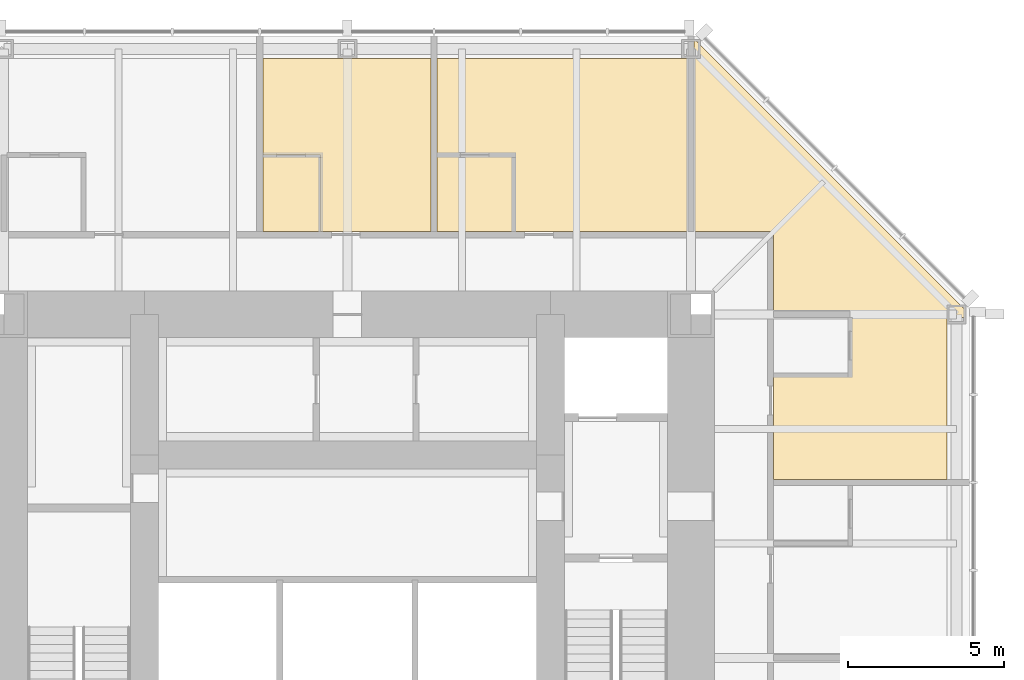
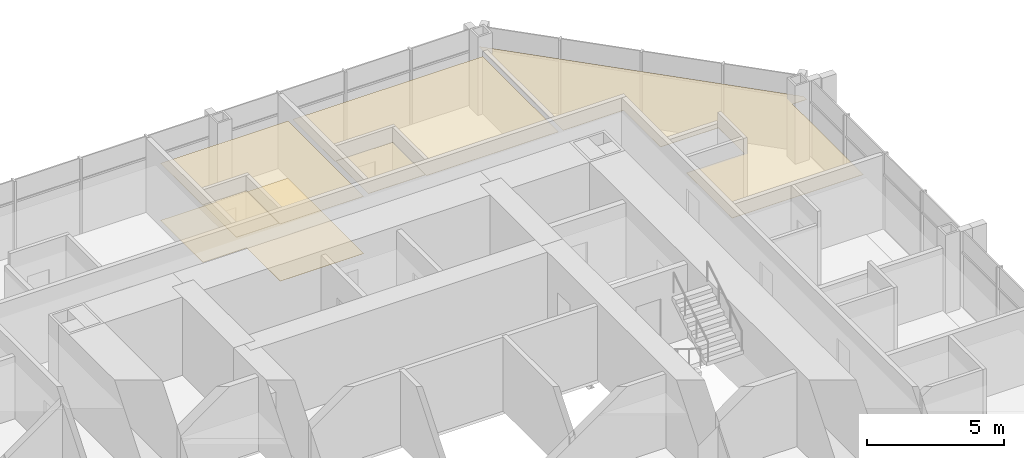
# One storey, part 12 of 12: 6 coverings.
"""IFC4 building model written with IfcOpenShell, lengths in metres."""

from ifc_helpers import new_model, si_unit, direction, frame, origin, place, context, subcontext, project, spatial, polyline, outline, extrude, material, layer, layer_set, type_object, element, save


model = new_model("IFC4")

# Units and contexts
model_context = context("Model", 3, precision=1e-05, world=origin(), true_north=direction((0.0, 1.0)))
body_context = subcontext(model_context, "Body", "Model", "MODEL_VIEW")
ifc_project = project(units=[si_unit("LENGTHUNIT", "METRE"), si_unit("AREAUNIT", "SQUARE_METRE"), si_unit("VOLUMEUNIT", "CUBIC_METRE"), si_unit("PLANEANGLEUNIT", "RADIAN"), si_unit("MASSUNIT", "GRAM", prefix="KILO")], contexts=[model_context])

# Site, building, storey
site_placement = place(None, origin())
site = spatial("IfcSite", under=ifc_project, at=site_placement, CompositionType="ELEMENT")
building_placement = place(site_placement, origin())
building = spatial("IfcBuilding", under=site, at=building_placement, Name="Trevanion Tower", CompositionType="ELEMENT")
storey_placement = place(building_placement, frame((0.0, 0.0, 201.199951171875)))
storey = spatial("IfcBuildingStorey", under=building, at=storey_placement, Name="L47", CompositionType="ELEMENT", Elevation=201.199951171875)

# Coverings
ifc_material_1 = material(Name="Gypsum plasterboard on suspended metal furring", Category="gypsum")
ifc_layer_1 = layer(ifc_material_1, 0.012939453125)
ifc_layer_set_1 = layer_set([ifc_layer_1], Name="CL3 plasterboard ceiling 13")
covering_type_1 = type_object("IfcCoveringType", Name="CL3 plasterboard ceiling 13", PredefinedType="CEILING", material=ifc_layer_set_1)
covering_1_placement = place(storey_placement, frame((0.0, 0.0, 2.551025390625)))
element("IfcCovering", 1, at=covering_1_placement, inside=storey, type_object=covering_type_1, Name="CL3 L47-GR3", PredefinedType="CEILING", context=body_context, shape_type="SweptSolid", body=[
    extrude(outline(polyline([(11.10009765625, 13.64990234375), (11.10009765625, 19.800048828125), (11.124267578125, 19.800048828125), (19.800048828125, 11.124267578125), (19.800048828125, 10.89990234375), (19.199951171875, 10.89990234375), (19.199951171875, 5.714111328125), (13.64990234375, 5.714111328125), (13.64990234375, 9.050048828125), (16.10009765625, 9.050048828125), (16.10009765625, 10.949951171875), (13.64990234375, 10.949951171875), (13.64990234375, 13.64990234375), (11.10009765625, 13.64990234375)])), origin(), (0.0, 0.0, 1.0), 0.012939453125),
])
covering_2_placement = place(storey_placement, frame((0.0, 0.0, 2.551025390625)))
element("IfcCovering", 2, at=covering_2_placement, inside=storey, type_object=covering_type_1, Name="CL3 L47-GJ", PredefinedType="CEILING", context=body_context, shape_type="SweptSolid", body=[
    extrude(outline(polyline([(5.324951171875, 13.64990234375), (5.324951171875, 16.10009765625), (2.875, 16.10009765625), (2.875, 19.199951171875), (10.89990234375, 19.199951171875), (10.89990234375, 13.64990234375), (5.324951171875, 13.64990234375)])), origin(), (0.0, 0.0, 1.0), 0.012939453125),
])
covering_3_placement = place(storey_placement, frame((0.0, 0.0, 2.551025390625)))
element("IfcCovering", 3, at=covering_3_placement, inside=storey, type_object=covering_type_1, Name="CL3 L47-GR4", PredefinedType="CEILING", context=body_context, shape_type="SweptSolid", body=[
    extrude(outline(polyline([(-0.85693359375, 13.64990234375), (-0.85693359375, 16.10009765625), (-2.70703125, 16.10009765625), (-2.70703125, 19.199951171875), (2.675048828125, 19.199951171875), (2.675048828125, 13.64990234375), (-0.85693359375, 13.64990234375)])), origin(), (0.0, 0.0, 1.0), 0.012939453125),
])
ifc_material_2 = material(Name="Moisture-resistant gypsum board on suspended metal furring", Category="gypsum")
ifc_layer_2 = layer(ifc_material_2, 0.01611328125)
ifc_layer_set_2 = layer_set([ifc_layer_2], Name="CL4 moisture-resistant board ceiling 16")
covering_type_2 = type_object("IfcCoveringType", Name="CL4 moisture-resistant board ceiling 16", PredefinedType="CEILING", material=ifc_layer_set_2)
covering_4_placement = place(storey_placement, frame((0.0, 0.0, 2.60009765625)))
element("IfcCovering", 4, at=covering_4_placement, inside=storey, type_object=covering_type_2, Name="CL4 L47-EN5", PredefinedType="CEILING", context=body_context, shape_type="SweptSolid", body=[
    extrude(outline(polyline([(5.27490234375, 16.050048828125), (2.875, 16.050048828125), (2.875, 13.64990234375), (5.27490234375, 13.64990234375), (5.27490234375, 16.050048828125)])), origin(), (0.0, 0.0, 1.0), 0.015869140625),
])
covering_5_placement = place(storey_placement, frame((0.0, 0.0, 2.60009765625)))
element("IfcCovering", 5, at=covering_5_placement, inside=storey, type_object=covering_type_2, Name="CL4 L47-EN6", PredefinedType="CEILING", context=body_context, shape_type="SweptSolid", body=[
    extrude(outline(polyline([(-0.906982421875, 16.050048828125), (-2.70703125, 16.050048828125), (-2.70703125, 13.64990234375), (-0.906982421875, 13.64990234375), (-0.906982421875, 16.050048828125)])), origin(), (0.0, 0.0, 1.0), 0.015869140625),
])
ifc_material_3 = material(Name="Wool carpet on underlay", Category="textile")
ifc_layer_3 = layer(ifc_material_3, 0.011962890625)
ifc_layer_set_3 = layer_set([ifc_layer_3], Name="FF2 carpet flooring")
covering_type_3 = type_object("IfcCoveringType", Name="FF2 carpet flooring", PredefinedType="FLOORING", material=ifc_layer_set_3)
covering_6_placement = place(storey_placement, origin())
element("IfcCovering", 6, at=covering_6_placement, inside=storey, type_object=covering_type_3, Name="FF2 L47-GR4", PredefinedType="FLOORING", context=body_context, shape_type="SweptSolid", body=[
    extrude(outline(polyline([(-0.85693359375, 13.64990234375), (-0.85693359375, 16.10009765625), (-2.70703125, 16.10009765625), (-2.70703125, 19.199951171875), (2.675048828125, 19.199951171875), (2.675048828125, 13.64990234375), (-0.85693359375, 13.64990234375)])), origin(), (0.0, 0.0, 1.0), 0.011962890625),
])

save(model, "model.ifc")
